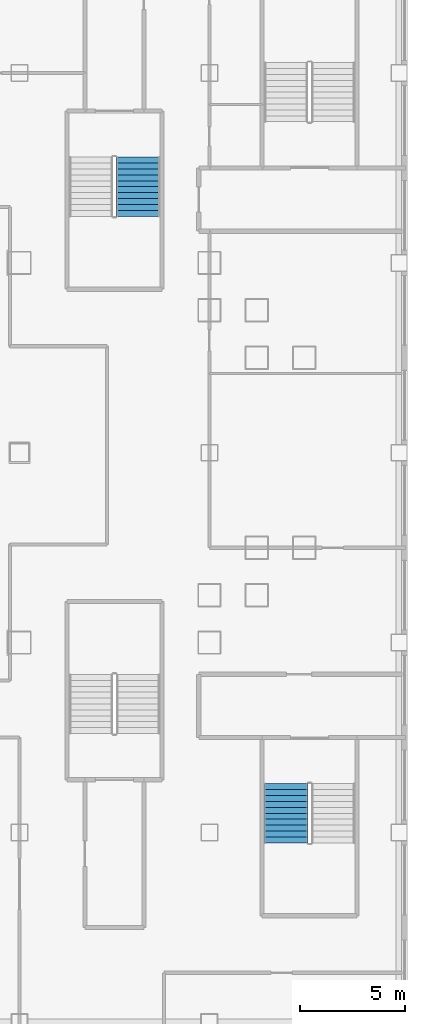
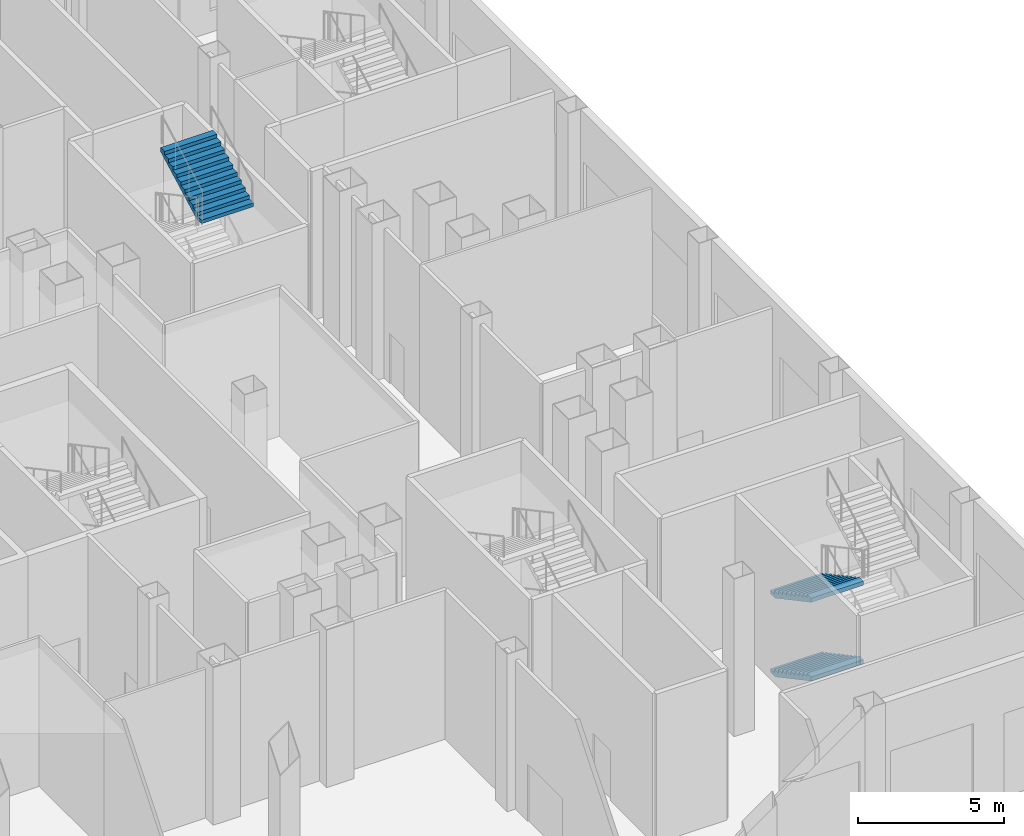
# One storey, part 18 of 26: 3 stair flights, 2 elements without a shape of their own.
"""IFC4 building model written with IfcOpenShell, lengths in metres."""

from ifc_helpers import new_model, si_unit, direction, frame, origin, place, context, subcontext, project, spatial, polygons, material, type_object, element, aggregate, save


model = new_model("IFC4")

# Units and contexts
model_context = context("Model", 3, precision=1e-05, world=origin(), true_north=direction((0.0, 1.0)))
body_context = subcontext(model_context, "Body", "Model", "MODEL_VIEW")
ifc_project = project(units=[si_unit("LENGTHUNIT", "METRE"), si_unit("AREAUNIT", "SQUARE_METRE"), si_unit("VOLUMEUNIT", "CUBIC_METRE"), si_unit("PLANEANGLEUNIT", "RADIAN"), si_unit("MASSUNIT", "GRAM", prefix="KILO")], contexts=[model_context])

# Site, building, storey
site_placement = place(None, origin())
site = spatial("IfcSite", under=ifc_project, at=site_placement, CompositionType="ELEMENT")
building_placement = place(site_placement, origin())
building = spatial("IfcBuilding", under=site, at=building_placement, Name="Caravel Reach Hotel and Residences", CompositionType="ELEMENT")
storey_placement = place(building_placement, frame((0.0, 0.0, 17.39990234375)))
storey = spatial("IfcBuildingStorey", under=building, at=storey_placement, Name="L03", CompositionType="ELEMENT", Elevation=17.39990234375)

# Stair, stair flight
ifc_material_1 = material(Name="Concrete C40", Category="concrete")
stair_type = type_object("IfcStairType", Name="Core stair", PredefinedType="HALF_TURN_STAIR", material=ifc_material_1)
stair_1_placement = place(storey_placement, origin())
stair_1 = element("IfcStair", 1, at=stair_1_placement, inside=storey, type_object=stair_type, Name="L03 Exit stair P2", PredefinedType="HALF_TURN_STAIR")
ifc_material_2 = material(Name="Concrete C40", Category="concrete")
stair_flight_type = type_object("IfcStairFlightType", Name="Core stair flight", PredefinedType="STRAIGHT", material=ifc_material_2)
stair_flight_1_placement = place(storey_placement, frame((55.110107421875, 38.2099609375, 4.9501953125), z_axis=(0.0, 0.0, 1.0), x_axis=(0.0, 1.0, 0.0)))
stair_flight_1 = element("IfcStairFlight", 2, at=stair_flight_1_placement, type_object=stair_flight_type, Name="ST-P2 flight 4", NumberOfRisers=11, NumberOfTreads=10, PredefinedType="STRAIGHT", RiserHeight=0.15, TreadLength=0.28, context=body_context, shape_type="Tessellation", body=[
    polygons([(0.3174408016601862, 1.0350341796875, 0.0), (0.3174408016601862, 0.6900227864583333, 0.0), (0.3174408016601862, 0.34501139322916663, 0.0), (0.3174408016601862, 0.0, 0.0), (0.3174408016601862, -0.34501139322916674, 0.0), (0.3174408016601862, -0.6900227864583333, 0.0), (0.3174408016601862, -1.0350341796875, 0.0), (2.801, 1.0350341796875, 1.329942427682043), (2.801, 0.6900227864583333, 1.329942427682043), (2.801, 0.34501139322916663, 1.329942427682043), (2.801, 0.0, 1.329942427682043), (2.801, -0.34501139322916674, 1.329942427682043), (2.801, -0.6900227864583333, 1.329942427682043), (2.801, -1.0350341796875, 1.329942427682043), (2.801, 1.0350341796875, 1.5), (2.801, 0.6900227864583333, 1.5), (2.801, 0.34501139322916663, 1.5), (2.801, 0.0, 1.5), (2.801, -0.34501139322916674, 1.5), (2.801, -0.6900227864583333, 1.5), (2.801, -1.0350341796875, 1.5), (2.5200000000000005, 1.0350341796875, 1.5), (2.5200000000000005, 0.6900227864583333, 1.5), (2.5200000000000005, 0.34501139322916663, 1.5), (2.5200000000000005, 0.0, 1.5), (2.5200000000000005, -0.34501139322916674, 1.5), (2.5200000000000005, -0.6900227864583333, 1.5), (2.5200000000000005, -1.0350341796875, 1.5), (2.5200000000000005, 1.0350341796875, 1.3499999999999999), (2.5200000000000005, 0.6900227864583333, 1.3499999999999999), (2.5200000000000005, 0.34501139322916663, 1.3499999999999999), (2.5200000000000005, 0.0, 1.3499999999999999), (2.5200000000000005, -0.34501139322916674, 1.3499999999999999), (2.5200000000000005, -0.6900227864583333, 1.3499999999999999), (2.5200000000000005, -1.0350341796875, 1.3499999999999999), (2.24, 1.0350341796875, 1.3499999999999999), (2.24, 0.6900227864583333, 1.3499999999999999), (2.24, 0.34501139322916663, 1.3499999999999999), (2.24, 0.0, 1.3499999999999999), (2.24, -0.34501139322916674, 1.3499999999999999), (2.24, -0.6900227864583333, 1.3499999999999999), (2.24, -1.0350341796875, 1.3499999999999999), (2.24, 1.0350341796875, 1.2), (2.24, 0.6900227864583333, 1.2), (2.24, 0.34501139322916663, 1.2), (2.24, 0.0, 1.2), (2.24, -0.34501139322916674, 1.2), (2.24, -0.6900227864583333, 1.2), (2.24, -1.0350341796875, 1.2), (1.9600000000000002, 1.0350341796875, 1.2), (1.9600000000000002, 0.6900227864583333, 1.2), (1.9600000000000002, 0.34501139322916663, 1.2), (1.9600000000000002, 0.0, 1.2), (1.9600000000000002, -0.34501139322916674, 1.2), (1.9600000000000002, -0.6900227864583333, 1.2), (1.9600000000000002, -1.0350341796875, 1.2), (1.9600000000000002, 1.0350341796875, 1.05), (1.9600000000000002, 0.6900227864583333, 1.05), (1.9600000000000002, 0.34501139322916663, 1.05), (1.9600000000000002, 0.0, 1.05), (1.9600000000000002, -0.34501139322916674, 1.05), (1.9600000000000002, -0.6900227864583333, 1.05), (1.9600000000000002, -1.0350341796875, 1.05), (1.6800000000000002, 1.0350341796875, 1.05), (1.6800000000000002, 0.6900227864583333, 1.05), (1.6800000000000002, 0.34501139322916663, 1.05), (1.6800000000000002, 0.0, 1.05), (1.6800000000000002, -0.34501139322916674, 1.05), (1.6800000000000002, -0.6900227864583333, 1.05), (1.6800000000000002, -1.0350341796875, 1.05), (1.6800000000000002, 1.0350341796875, 0.8999999999999999), (1.6800000000000002, 0.6900227864583333, 0.8999999999999999), (1.6800000000000002, 0.34501139322916663, 0.8999999999999999), (1.6800000000000002, 0.0, 0.8999999999999999), (1.6800000000000002, -0.34501139322916674, 0.8999999999999999), (1.6800000000000002, -0.6900227864583333, 0.8999999999999999), (1.6800000000000002, -1.0350341796875, 0.8999999999999999), (1.4000000000000001, 1.0350341796875, 0.8999999999999999), (1.4000000000000001, 0.6900227864583333, 0.8999999999999999), (1.4000000000000001, 0.34501139322916663, 0.8999999999999999), (1.4000000000000001, 0.0, 0.8999999999999999), (1.4000000000000001, -0.34501139322916674, 0.8999999999999999), (1.4000000000000001, -0.6900227864583333, 0.8999999999999999), (1.4000000000000001, -1.0350341796875, 0.8999999999999999), (1.4000000000000001, 1.0350341796875, 0.75), (1.4000000000000001, 0.6900227864583333, 0.75), (1.4000000000000001, 0.34501139322916663, 0.75), (1.4000000000000001, 0.0, 0.75), (1.4000000000000001, -0.34501139322916674, 0.75), (1.4000000000000001, -0.6900227864583333, 0.75), (1.4000000000000001, -1.0350341796875, 0.75), (1.12, 1.0350341796875, 0.75), (1.12, 0.6900227864583333, 0.75), (1.12, 0.34501139322916663, 0.75), (1.12, 0.0, 0.75), (1.12, -0.34501139322916674, 0.75), (1.12, -0.6900227864583333, 0.75), (1.12, -1.0350341796875, 0.75), (1.12, 1.0350341796875, 0.6), (1.12, 0.6900227864583333, 0.6), (1.12, 0.34501139322916663, 0.6), (1.12, 0.0, 0.6), (1.12, -0.34501139322916674, 0.6), (1.12, -0.6900227864583333, 0.6), (1.12, -1.0350341796875, 0.6), (0.8400000000000001, 1.0350341796875, 0.6), (0.8400000000000001, 0.6900227864583333, 0.6), (0.8400000000000001, 0.34501139322916663, 0.6), (0.8400000000000001, 0.0, 0.6), (0.8400000000000001, -0.34501139322916674, 0.6), (0.8400000000000001, -0.6900227864583333, 0.6), (0.8400000000000001, -1.0350341796875, 0.6), (0.8400000000000001, 1.0350341796875, 0.44999999999999996), (0.8400000000000001, 0.6900227864583333, 0.44999999999999996), (0.8400000000000001, 0.34501139322916663, 0.44999999999999996), (0.8400000000000001, 0.0, 0.44999999999999996), (0.8400000000000001, -0.34501139322916674, 0.44999999999999996), (0.8400000000000001, -0.6900227864583333, 0.44999999999999996), (0.8400000000000001, -1.0350341796875, 0.44999999999999996), (0.56, 1.0350341796875, 0.44999999999999996), (0.56, 0.6900227864583333, 0.44999999999999996), (0.56, 0.34501139322916663, 0.44999999999999996), (0.56, 0.0, 0.44999999999999996), (0.56, -0.34501139322916674, 0.44999999999999996), (0.56, -0.6900227864583333, 0.44999999999999996), (0.56, -1.0350341796875, 0.44999999999999996), (0.56, 1.0350341796875, 0.3), (0.56, 0.6900227864583333, 0.3), (0.56, 0.34501139322916663, 0.3), (0.56, 0.0, 0.3), (0.56, -0.34501139322916674, 0.3), (0.56, -0.6900227864583333, 0.3), (0.56, -1.0350341796875, 0.3), (0.28, 1.0350341796875, 0.3), (0.28, 0.6900227864583333, 0.3), (0.28, 0.34501139322916663, 0.3), (0.28, 0.0, 0.3), (0.28, -0.34501139322916674, 0.3), (0.28, -0.6900227864583333, 0.3), (0.28, -1.0350341796875, 0.3), (0.28, 1.0350341796875, 0.15), (0.28, 0.6900227864583333, 0.15), (0.28, 0.34501139322916663, 0.15), (0.28, 0.0, 0.15), (0.28, -0.34501139322916674, 0.15), (0.28, -0.6900227864583333, 0.15), (0.28, -1.0350341796875, 0.15), (-0.001, 1.0350341796875, 0.15), (-0.001, 0.6900227864583333, 0.15), (-0.001, 0.34501139322916663, 0.15), (-0.001, 0.0, 0.15), (-0.001, -0.34501139322916674, 0.15), (-0.001, -0.6900227864583333, 0.15), (-0.001, -1.0350341796875, 0.15), (-0.001, 1.0350341796875, 0.0), (-0.001, 0.6900227864583333, 0.0), (-0.001, 0.34501139322916663, 0.0), (-0.001, 0.0, 0.0), (-0.001, -0.34501139322916674, 0.0), (-0.001, -0.6900227864583333, 0.0), (-0.001, -1.0350341796875, 0.0)], [[[155, 148, 141, 134, 127, 120, 113, 106, 99, 92, 85, 78, 71, 64, 57, 50, 43, 36, 29, 22, 15, 8, 1]], [[7, 14, 21, 28, 35, 42, 49, 56, 63, 70, 77, 84, 91, 98, 105, 112, 119, 126, 133, 140, 147, 154, 161]], [[1, 8, 9, 2]], [[2, 9, 10, 3]], [[3, 10, 11, 4]], [[4, 11, 12, 5]], [[5, 12, 13, 6]], [[6, 13, 14, 7]], [[8, 15, 16, 9]], [[9, 16, 17, 10]], [[10, 17, 18, 11]], [[11, 18, 19, 12]], [[12, 19, 20, 13]], [[13, 20, 21, 14]], [[15, 22, 23, 16]], [[16, 23, 24, 17]], [[17, 24, 25, 18]], [[18, 25, 26, 19]], [[19, 26, 27, 20]], [[20, 27, 28, 21]], [[22, 29, 30, 23]], [[23, 30, 31, 24]], [[24, 31, 32, 25]], [[25, 32, 33, 26]], [[26, 33, 34, 27]], [[27, 34, 35, 28]], [[29, 36, 37, 30]], [[30, 37, 38, 31]], [[31, 38, 39, 32]], [[32, 39, 40, 33]], [[33, 40, 41, 34]], [[34, 41, 42, 35]], [[36, 43, 44, 37]], [[37, 44, 45, 38]], [[38, 45, 46, 39]], [[39, 46, 47, 40]], [[40, 47, 48, 41]], [[41, 48, 49, 42]], [[43, 50, 51, 44]], [[44, 51, 52, 45]], [[45, 52, 53, 46]], [[46, 53, 54, 47]], [[47, 54, 55, 48]], [[48, 55, 56, 49]], [[50, 57, 58, 51]], [[51, 58, 59, 52]], [[52, 59, 60, 53]], [[53, 60, 61, 54]], [[54, 61, 62, 55]], [[55, 62, 63, 56]], [[57, 64, 65, 58]], [[58, 65, 66, 59]], [[59, 66, 67, 60]], [[60, 67, 68, 61]], [[61, 68, 69, 62]], [[62, 69, 70, 63]], [[64, 71, 72, 65]], [[65, 72, 73, 66]], [[66, 73, 74, 67]], [[67, 74, 75, 68]], [[68, 75, 76, 69]], [[69, 76, 77, 70]], [[71, 78, 79, 72]], [[72, 79, 80, 73]], [[73, 80, 81, 74]], [[74, 81, 82, 75]], [[75, 82, 83, 76]], [[76, 83, 84, 77]], [[78, 85, 86, 79]], [[79, 86, 87, 80]], [[80, 87, 88, 81]], [[81, 88, 89, 82]], [[82, 89, 90, 83]], [[83, 90, 91, 84]], [[85, 92, 93, 86]], [[86, 93, 94, 87]], [[87, 94, 95, 88]], [[88, 95, 96, 89]], [[89, 96, 97, 90]], [[90, 97, 98, 91]], [[92, 99, 100, 93]], [[93, 100, 101, 94]], [[94, 101, 102, 95]], [[95, 102, 103, 96]], [[96, 103, 104, 97]], [[97, 104, 105, 98]], [[99, 106, 107, 100]], [[100, 107, 108, 101]], [[101, 108, 109, 102]], [[102, 109, 110, 103]], [[103, 110, 111, 104]], [[104, 111, 112, 105]], [[106, 113, 114, 107]], [[107, 114, 115, 108]], [[108, 115, 116, 109]], [[109, 116, 117, 110]], [[110, 117, 118, 111]], [[111, 118, 119, 112]], [[113, 120, 121, 114]], [[114, 121, 122, 115]], [[115, 122, 123, 116]], [[116, 123, 124, 117]], [[117, 124, 125, 118]], [[118, 125, 126, 119]], [[120, 127, 128, 121]], [[121, 128, 129, 122]], [[122, 129, 130, 123]], [[123, 130, 131, 124]], [[124, 131, 132, 125]], [[125, 132, 133, 126]], [[127, 134, 135, 128]], [[128, 135, 136, 129]], [[129, 136, 137, 130]], [[130, 137, 138, 131]], [[131, 138, 139, 132]], [[132, 139, 140, 133]], [[134, 141, 142, 135]], [[135, 142, 143, 136]], [[136, 143, 144, 137]], [[137, 144, 145, 138]], [[138, 145, 146, 139]], [[139, 146, 147, 140]], [[141, 148, 149, 142]], [[142, 149, 150, 143]], [[143, 150, 151, 144]], [[144, 151, 152, 145]], [[145, 152, 153, 146]], [[146, 153, 154, 147]], [[148, 155, 156, 149]], [[149, 156, 157, 150]], [[150, 157, 158, 151]], [[151, 158, 159, 152]], [[152, 159, 160, 153]], [[153, 160, 161, 154]], [[155, 1, 2, 156]], [[156, 2, 3, 157]], [[157, 3, 4, 158]], [[158, 4, 5, 159]], [[159, 5, 6, 160]], [[160, 6, 7, 161]]], closed=True),
])
aggregate(stair_1, [stair_flight_1])

# Stair, stair flights
stair_2_placement = place(storey_placement, origin())
stair_2 = element("IfcStair", 3, at=stair_2_placement, inside=storey, type_object=stair_type, Name="L03 Exit stair P7", PredefinedType="HALF_TURN_STAIR")
stair_flight_2_placement = place(storey_placement, frame((62.139892578125, 11.31005859375, 0.0), z_axis=(0.0, 0.0, 1.0), x_axis=(0.0, -1.0, 0.0)))
stair_flight_2 = element("IfcStairFlight", 4, at=stair_flight_2_placement, type_object=stair_flight_type, Name="ST-P7 flight 1", NumberOfRisers=11, NumberOfTreads=10, PredefinedType="STRAIGHT", RiserHeight=0.15, TreadLength=0.28, context=body_context, shape_type="Tessellation", body=[
    polygons([(0.3174408016601862, 1.0350341796875, 0.0), (0.3174408016601862, 0.6900227864583333, 0.0), (0.3174408016601862, 0.34501139322916663, 0.0), (0.3174408016601862, 0.0, 0.0), (0.3174408016601862, -0.34501139322916674, 0.0), (0.3174408016601862, -0.6900227864583333, 0.0), (0.3174408016601862, -1.0350341796875, 0.0), (2.801, 1.0350341796875, 1.329942427682043), (2.801, 0.6900227864583333, 1.329942427682043), (2.801, 0.34501139322916663, 1.329942427682043), (2.801, 0.0, 1.329942427682043), (2.801, -0.34501139322916674, 1.329942427682043), (2.801, -0.6900227864583333, 1.329942427682043), (2.801, -1.0350341796875, 1.329942427682043), (2.801, 1.0350341796875, 1.5), (2.801, 0.6900227864583333, 1.5), (2.801, 0.34501139322916663, 1.5), (2.801, 0.0, 1.5), (2.801, -0.34501139322916674, 1.5), (2.801, -0.6900227864583333, 1.5), (2.801, -1.0350341796875, 1.5), (2.5200000000000005, 1.0350341796875, 1.5), (2.5200000000000005, 0.6900227864583333, 1.5), (2.5200000000000005, 0.34501139322916663, 1.5), (2.5200000000000005, 0.0, 1.5), (2.5200000000000005, -0.34501139322916674, 1.5), (2.5200000000000005, -0.6900227864583333, 1.5), (2.5200000000000005, -1.0350341796875, 1.5), (2.5200000000000005, 1.0350341796875, 1.3499999999999999), (2.5200000000000005, 0.6900227864583333, 1.3499999999999999), (2.5200000000000005, 0.34501139322916663, 1.3499999999999999), (2.5200000000000005, 0.0, 1.3499999999999999), (2.5200000000000005, -0.34501139322916674, 1.3499999999999999), (2.5200000000000005, -0.6900227864583333, 1.3499999999999999), (2.5200000000000005, -1.0350341796875, 1.3499999999999999), (2.24, 1.0350341796875, 1.3499999999999999), (2.24, 0.6900227864583333, 1.3499999999999999), (2.24, 0.34501139322916663, 1.3499999999999999), (2.24, 0.0, 1.3499999999999999), (2.24, -0.34501139322916674, 1.3499999999999999), (2.24, -0.6900227864583333, 1.3499999999999999), (2.24, -1.0350341796875, 1.3499999999999999), (2.24, 1.0350341796875, 1.2), (2.24, 0.6900227864583333, 1.2), (2.24, 0.34501139322916663, 1.2), (2.24, 0.0, 1.2), (2.24, -0.34501139322916674, 1.2), (2.24, -0.6900227864583333, 1.2), (2.24, -1.0350341796875, 1.2), (1.9600000000000002, 1.0350341796875, 1.2), (1.9600000000000002, 0.6900227864583333, 1.2), (1.9600000000000002, 0.34501139322916663, 1.2), (1.9600000000000002, 0.0, 1.2), (1.9600000000000002, -0.34501139322916674, 1.2), (1.9600000000000002, -0.6900227864583333, 1.2), (1.9600000000000002, -1.0350341796875, 1.2), (1.9600000000000002, 1.0350341796875, 1.05), (1.9600000000000002, 0.6900227864583333, 1.05), (1.9600000000000002, 0.34501139322916663, 1.05), (1.9600000000000002, 0.0, 1.05), (1.9600000000000002, -0.34501139322916674, 1.05), (1.9600000000000002, -0.6900227864583333, 1.05), (1.9600000000000002, -1.0350341796875, 1.05), (1.6800000000000002, 1.0350341796875, 1.05), (1.6800000000000002, 0.6900227864583333, 1.05), (1.6800000000000002, 0.34501139322916663, 1.05), (1.6800000000000002, 0.0, 1.05), (1.6800000000000002, -0.34501139322916674, 1.05), (1.6800000000000002, -0.6900227864583333, 1.05), (1.6800000000000002, -1.0350341796875, 1.05), (1.6800000000000002, 1.0350341796875, 0.8999999999999999), (1.6800000000000002, 0.6900227864583333, 0.8999999999999999), (1.6800000000000002, 0.34501139322916663, 0.8999999999999999), (1.6800000000000002, 0.0, 0.8999999999999999), (1.6800000000000002, -0.34501139322916674, 0.8999999999999999), (1.6800000000000002, -0.6900227864583333, 0.8999999999999999), (1.6800000000000002, -1.0350341796875, 0.8999999999999999), (1.4000000000000001, 1.0350341796875, 0.8999999999999999), (1.4000000000000001, 0.6900227864583333, 0.8999999999999999), (1.4000000000000001, 0.34501139322916663, 0.8999999999999999), (1.4000000000000001, 0.0, 0.8999999999999999), (1.4000000000000001, -0.34501139322916674, 0.8999999999999999), (1.4000000000000001, -0.6900227864583333, 0.8999999999999999), (1.4000000000000001, -1.0350341796875, 0.8999999999999999), (1.4000000000000001, 1.0350341796875, 0.75), (1.4000000000000001, 0.6900227864583333, 0.75), (1.4000000000000001, 0.34501139322916663, 0.75), (1.4000000000000001, 0.0, 0.75), (1.4000000000000001, -0.34501139322916674, 0.75), (1.4000000000000001, -0.6900227864583333, 0.75), (1.4000000000000001, -1.0350341796875, 0.75), (1.12, 1.0350341796875, 0.75), (1.12, 0.6900227864583333, 0.75), (1.12, 0.34501139322916663, 0.75), (1.12, 0.0, 0.75), (1.12, -0.34501139322916674, 0.75), (1.12, -0.6900227864583333, 0.75), (1.12, -1.0350341796875, 0.75), (1.12, 1.0350341796875, 0.6), (1.12, 0.6900227864583333, 0.6), (1.12, 0.34501139322916663, 0.6), (1.12, 0.0, 0.6), (1.12, -0.34501139322916674, 0.6), (1.12, -0.6900227864583333, 0.6), (1.12, -1.0350341796875, 0.6), (0.8400000000000001, 1.0350341796875, 0.6), (0.8400000000000001, 0.6900227864583333, 0.6), (0.8400000000000001, 0.34501139322916663, 0.6), (0.8400000000000001, 0.0, 0.6), (0.8400000000000001, -0.34501139322916674, 0.6), (0.8400000000000001, -0.6900227864583333, 0.6), (0.8400000000000001, -1.0350341796875, 0.6), (0.8400000000000001, 1.0350341796875, 0.44999999999999996), (0.8400000000000001, 0.6900227864583333, 0.44999999999999996), (0.8400000000000001, 0.34501139322916663, 0.44999999999999996), (0.8400000000000001, 0.0, 0.44999999999999996), (0.8400000000000001, -0.34501139322916674, 0.44999999999999996), (0.8400000000000001, -0.6900227864583333, 0.44999999999999996), (0.8400000000000001, -1.0350341796875, 0.44999999999999996), (0.56, 1.0350341796875, 0.44999999999999996), (0.56, 0.6900227864583333, 0.44999999999999996), (0.56, 0.34501139322916663, 0.44999999999999996), (0.56, 0.0, 0.44999999999999996), (0.56, -0.34501139322916674, 0.44999999999999996), (0.56, -0.6900227864583333, 0.44999999999999996), (0.56, -1.0350341796875, 0.44999999999999996), (0.56, 1.0350341796875, 0.3), (0.56, 0.6900227864583333, 0.3), (0.56, 0.34501139322916663, 0.3), (0.56, 0.0, 0.3), (0.56, -0.34501139322916674, 0.3), (0.56, -0.6900227864583333, 0.3), (0.56, -1.0350341796875, 0.3), (0.28, 1.0350341796875, 0.3), (0.28, 0.6900227864583333, 0.3), (0.28, 0.34501139322916663, 0.3), (0.28, 0.0, 0.3), (0.28, -0.34501139322916674, 0.3), (0.28, -0.6900227864583333, 0.3), (0.28, -1.0350341796875, 0.3), (0.28, 1.0350341796875, 0.15), (0.28, 0.6900227864583333, 0.15), (0.28, 0.34501139322916663, 0.15), (0.28, 0.0, 0.15), (0.28, -0.34501139322916674, 0.15), (0.28, -0.6900227864583333, 0.15), (0.28, -1.0350341796875, 0.15), (-0.001, 1.0350341796875, 0.15), (-0.001, 0.6900227864583333, 0.15), (-0.001, 0.34501139322916663, 0.15), (-0.001, 0.0, 0.15), (-0.001, -0.34501139322916674, 0.15), (-0.001, -0.6900227864583333, 0.15), (-0.001, -1.0350341796875, 0.15), (-0.001, 1.0350341796875, 0.0), (-0.001, 0.6900227864583333, 0.0), (-0.001, 0.34501139322916663, 0.0), (-0.001, 0.0, 0.0), (-0.001, -0.34501139322916674, 0.0), (-0.001, -0.6900227864583333, 0.0), (-0.001, -1.0350341796875, 0.0)], [[[155, 148, 141, 134, 127, 120, 113, 106, 99, 92, 85, 78, 71, 64, 57, 50, 43, 36, 29, 22, 15, 8, 1]], [[7, 14, 21, 28, 35, 42, 49, 56, 63, 70, 77, 84, 91, 98, 105, 112, 119, 126, 133, 140, 147, 154, 161]], [[1, 8, 9, 2]], [[2, 9, 10, 3]], [[3, 10, 11, 4]], [[4, 11, 12, 5]], [[5, 12, 13, 6]], [[6, 13, 14, 7]], [[8, 15, 16, 9]], [[9, 16, 17, 10]], [[10, 17, 18, 11]], [[11, 18, 19, 12]], [[12, 19, 20, 13]], [[13, 20, 21, 14]], [[15, 22, 23, 16]], [[16, 23, 24, 17]], [[17, 24, 25, 18]], [[18, 25, 26, 19]], [[19, 26, 27, 20]], [[20, 27, 28, 21]], [[22, 29, 30, 23]], [[23, 30, 31, 24]], [[24, 31, 32, 25]], [[25, 32, 33, 26]], [[26, 33, 34, 27]], [[27, 34, 35, 28]], [[29, 36, 37, 30]], [[30, 37, 38, 31]], [[31, 38, 39, 32]], [[32, 39, 40, 33]], [[33, 40, 41, 34]], [[34, 41, 42, 35]], [[36, 43, 44, 37]], [[37, 44, 45, 38]], [[38, 45, 46, 39]], [[39, 46, 47, 40]], [[40, 47, 48, 41]], [[41, 48, 49, 42]], [[43, 50, 51, 44]], [[44, 51, 52, 45]], [[45, 52, 53, 46]], [[46, 53, 54, 47]], [[47, 54, 55, 48]], [[48, 55, 56, 49]], [[50, 57, 58, 51]], [[51, 58, 59, 52]], [[52, 59, 60, 53]], [[53, 60, 61, 54]], [[54, 61, 62, 55]], [[55, 62, 63, 56]], [[57, 64, 65, 58]], [[58, 65, 66, 59]], [[59, 66, 67, 60]], [[60, 67, 68, 61]], [[61, 68, 69, 62]], [[62, 69, 70, 63]], [[64, 71, 72, 65]], [[65, 72, 73, 66]], [[66, 73, 74, 67]], [[67, 74, 75, 68]], [[68, 75, 76, 69]], [[69, 76, 77, 70]], [[71, 78, 79, 72]], [[72, 79, 80, 73]], [[73, 80, 81, 74]], [[74, 81, 82, 75]], [[75, 82, 83, 76]], [[76, 83, 84, 77]], [[78, 85, 86, 79]], [[79, 86, 87, 80]], [[80, 87, 88, 81]], [[81, 88, 89, 82]], [[82, 89, 90, 83]], [[83, 90, 91, 84]], [[85, 92, 93, 86]], [[86, 93, 94, 87]], [[87, 94, 95, 88]], [[88, 95, 96, 89]], [[89, 96, 97, 90]], [[90, 97, 98, 91]], [[92, 99, 100, 93]], [[93, 100, 101, 94]], [[94, 101, 102, 95]], [[95, 102, 103, 96]], [[96, 103, 104, 97]], [[97, 104, 105, 98]], [[99, 106, 107, 100]], [[100, 107, 108, 101]], [[101, 108, 109, 102]], [[102, 109, 110, 103]], [[103, 110, 111, 104]], [[104, 111, 112, 105]], [[106, 113, 114, 107]], [[107, 114, 115, 108]], [[108, 115, 116, 109]], [[109, 116, 117, 110]], [[110, 117, 118, 111]], [[111, 118, 119, 112]], [[113, 120, 121, 114]], [[114, 121, 122, 115]], [[115, 122, 123, 116]], [[116, 123, 124, 117]], [[117, 124, 125, 118]], [[118, 125, 126, 119]], [[120, 127, 128, 121]], [[121, 128, 129, 122]], [[122, 129, 130, 123]], [[123, 130, 131, 124]], [[124, 131, 132, 125]], [[125, 132, 133, 126]], [[127, 134, 135, 128]], [[128, 135, 136, 129]], [[129, 136, 137, 130]], [[130, 137, 138, 131]], [[131, 138, 139, 132]], [[132, 139, 140, 133]], [[134, 141, 142, 135]], [[135, 142, 143, 136]], [[136, 143, 144, 137]], [[137, 144, 145, 138]], [[138, 145, 146, 139]], [[139, 146, 147, 140]], [[141, 148, 149, 142]], [[142, 149, 150, 143]], [[143, 150, 151, 144]], [[144, 151, 152, 145]], [[145, 152, 153, 146]], [[146, 153, 154, 147]], [[148, 155, 156, 149]], [[149, 156, 157, 150]], [[150, 157, 158, 151]], [[151, 158, 159, 152]], [[152, 159, 160, 153]], [[153, 160, 161, 154]], [[155, 1, 2, 156]], [[156, 2, 3, 157]], [[157, 3, 4, 158]], [[158, 4, 5, 159]], [[159, 5, 6, 160]], [[160, 6, 7, 161]]], closed=True),
])
stair_flight_3_placement = place(storey_placement, frame((62.139892578125, 11.31005859375, 3.300048828125), z_axis=(0.0, 0.0, 1.0), x_axis=(0.0, -1.0, 0.0)))
stair_flight_3 = element("IfcStairFlight", 5, at=stair_flight_3_placement, type_object=stair_flight_type, Name="ST-P7 flight 3", NumberOfRisers=11, NumberOfTreads=10, PredefinedType="STRAIGHT", RiserHeight=0.15, TreadLength=0.28, context=body_context, shape_type="Tessellation", body=[
    polygons([(0.3174408016601862, 1.0350341796875, 0.0), (0.3174408016601862, 0.6900227864583333, 0.0), (0.3174408016601862, 0.34501139322916663, 0.0), (0.3174408016601862, 0.0, 0.0), (0.3174408016601862, -0.34501139322916674, 0.0), (0.3174408016601862, -0.6900227864583333, 0.0), (0.3174408016601862, -1.0350341796875, 0.0), (2.801, 1.0350341796875, 1.329942427682043), (2.801, 0.6900227864583333, 1.329942427682043), (2.801, 0.34501139322916663, 1.329942427682043), (2.801, 0.0, 1.329942427682043), (2.801, -0.34501139322916674, 1.329942427682043), (2.801, -0.6900227864583333, 1.329942427682043), (2.801, -1.0350341796875, 1.329942427682043), (2.801, 1.0350341796875, 1.5), (2.801, 0.6900227864583333, 1.5), (2.801, 0.34501139322916663, 1.5), (2.801, 0.0, 1.5), (2.801, -0.34501139322916674, 1.5), (2.801, -0.6900227864583333, 1.5), (2.801, -1.0350341796875, 1.5), (2.5200000000000005, 1.0350341796875, 1.5), (2.5200000000000005, 0.6900227864583333, 1.5), (2.5200000000000005, 0.34501139322916663, 1.5), (2.5200000000000005, 0.0, 1.5), (2.5200000000000005, -0.34501139322916674, 1.5), (2.5200000000000005, -0.6900227864583333, 1.5), (2.5200000000000005, -1.0350341796875, 1.5), (2.5200000000000005, 1.0350341796875, 1.3499999999999999), (2.5200000000000005, 0.6900227864583333, 1.3499999999999999), (2.5200000000000005, 0.34501139322916663, 1.3499999999999999), (2.5200000000000005, 0.0, 1.3499999999999999), (2.5200000000000005, -0.34501139322916674, 1.3499999999999999), (2.5200000000000005, -0.6900227864583333, 1.3499999999999999), (2.5200000000000005, -1.0350341796875, 1.3499999999999999), (2.24, 1.0350341796875, 1.3499999999999999), (2.24, 0.6900227864583333, 1.3499999999999999), (2.24, 0.34501139322916663, 1.3499999999999999), (2.24, 0.0, 1.3499999999999999), (2.24, -0.34501139322916674, 1.3499999999999999), (2.24, -0.6900227864583333, 1.3499999999999999), (2.24, -1.0350341796875, 1.3499999999999999), (2.24, 1.0350341796875, 1.2), (2.24, 0.6900227864583333, 1.2), (2.24, 0.34501139322916663, 1.2), (2.24, 0.0, 1.2), (2.24, -0.34501139322916674, 1.2), (2.24, -0.6900227864583333, 1.2), (2.24, -1.0350341796875, 1.2), (1.9600000000000002, 1.0350341796875, 1.2), (1.9600000000000002, 0.6900227864583333, 1.2), (1.9600000000000002, 0.34501139322916663, 1.2), (1.9600000000000002, 0.0, 1.2), (1.9600000000000002, -0.34501139322916674, 1.2), (1.9600000000000002, -0.6900227864583333, 1.2), (1.9600000000000002, -1.0350341796875, 1.2), (1.9600000000000002, 1.0350341796875, 1.05), (1.9600000000000002, 0.6900227864583333, 1.05), (1.9600000000000002, 0.34501139322916663, 1.05), (1.9600000000000002, 0.0, 1.05), (1.9600000000000002, -0.34501139322916674, 1.05), (1.9600000000000002, -0.6900227864583333, 1.05), (1.9600000000000002, -1.0350341796875, 1.05), (1.6800000000000002, 1.0350341796875, 1.05), (1.6800000000000002, 0.6900227864583333, 1.05), (1.6800000000000002, 0.34501139322916663, 1.05), (1.6800000000000002, 0.0, 1.05), (1.6800000000000002, -0.34501139322916674, 1.05), (1.6800000000000002, -0.6900227864583333, 1.05), (1.6800000000000002, -1.0350341796875, 1.05), (1.6800000000000002, 1.0350341796875, 0.8999999999999999), (1.6800000000000002, 0.6900227864583333, 0.8999999999999999), (1.6800000000000002, 0.34501139322916663, 0.8999999999999999), (1.6800000000000002, 0.0, 0.8999999999999999), (1.6800000000000002, -0.34501139322916674, 0.8999999999999999), (1.6800000000000002, -0.6900227864583333, 0.8999999999999999), (1.6800000000000002, -1.0350341796875, 0.8999999999999999), (1.4000000000000001, 1.0350341796875, 0.8999999999999999), (1.4000000000000001, 0.6900227864583333, 0.8999999999999999), (1.4000000000000001, 0.34501139322916663, 0.8999999999999999), (1.4000000000000001, 0.0, 0.8999999999999999), (1.4000000000000001, -0.34501139322916674, 0.8999999999999999), (1.4000000000000001, -0.6900227864583333, 0.8999999999999999), (1.4000000000000001, -1.0350341796875, 0.8999999999999999), (1.4000000000000001, 1.0350341796875, 0.75), (1.4000000000000001, 0.6900227864583333, 0.75), (1.4000000000000001, 0.34501139322916663, 0.75), (1.4000000000000001, 0.0, 0.75), (1.4000000000000001, -0.34501139322916674, 0.75), (1.4000000000000001, -0.6900227864583333, 0.75), (1.4000000000000001, -1.0350341796875, 0.75), (1.12, 1.0350341796875, 0.75), (1.12, 0.6900227864583333, 0.75), (1.12, 0.34501139322916663, 0.75), (1.12, 0.0, 0.75), (1.12, -0.34501139322916674, 0.75), (1.12, -0.6900227864583333, 0.75), (1.12, -1.0350341796875, 0.75), (1.12, 1.0350341796875, 0.6), (1.12, 0.6900227864583333, 0.6), (1.12, 0.34501139322916663, 0.6), (1.12, 0.0, 0.6), (1.12, -0.34501139322916674, 0.6), (1.12, -0.6900227864583333, 0.6), (1.12, -1.0350341796875, 0.6), (0.8400000000000001, 1.0350341796875, 0.6), (0.8400000000000001, 0.6900227864583333, 0.6), (0.8400000000000001, 0.34501139322916663, 0.6), (0.8400000000000001, 0.0, 0.6), (0.8400000000000001, -0.34501139322916674, 0.6), (0.8400000000000001, -0.6900227864583333, 0.6), (0.8400000000000001, -1.0350341796875, 0.6), (0.8400000000000001, 1.0350341796875, 0.44999999999999996), (0.8400000000000001, 0.6900227864583333, 0.44999999999999996), (0.8400000000000001, 0.34501139322916663, 0.44999999999999996), (0.8400000000000001, 0.0, 0.44999999999999996), (0.8400000000000001, -0.34501139322916674, 0.44999999999999996), (0.8400000000000001, -0.6900227864583333, 0.44999999999999996), (0.8400000000000001, -1.0350341796875, 0.44999999999999996), (0.56, 1.0350341796875, 0.44999999999999996), (0.56, 0.6900227864583333, 0.44999999999999996), (0.56, 0.34501139322916663, 0.44999999999999996), (0.56, 0.0, 0.44999999999999996), (0.56, -0.34501139322916674, 0.44999999999999996), (0.56, -0.6900227864583333, 0.44999999999999996), (0.56, -1.0350341796875, 0.44999999999999996), (0.56, 1.0350341796875, 0.3), (0.56, 0.6900227864583333, 0.3), (0.56, 0.34501139322916663, 0.3), (0.56, 0.0, 0.3), (0.56, -0.34501139322916674, 0.3), (0.56, -0.6900227864583333, 0.3), (0.56, -1.0350341796875, 0.3), (0.28, 1.0350341796875, 0.3), (0.28, 0.6900227864583333, 0.3), (0.28, 0.34501139322916663, 0.3), (0.28, 0.0, 0.3), (0.28, -0.34501139322916674, 0.3), (0.28, -0.6900227864583333, 0.3), (0.28, -1.0350341796875, 0.3), (0.28, 1.0350341796875, 0.15), (0.28, 0.6900227864583333, 0.15), (0.28, 0.34501139322916663, 0.15), (0.28, 0.0, 0.15), (0.28, -0.34501139322916674, 0.15), (0.28, -0.6900227864583333, 0.15), (0.28, -1.0350341796875, 0.15), (-0.001, 1.0350341796875, 0.15), (-0.001, 0.6900227864583333, 0.15), (-0.001, 0.34501139322916663, 0.15), (-0.001, 0.0, 0.15), (-0.001, -0.34501139322916674, 0.15), (-0.001, -0.6900227864583333, 0.15), (-0.001, -1.0350341796875, 0.15), (-0.001, 1.0350341796875, 0.0), (-0.001, 0.6900227864583333, 0.0), (-0.001, 0.34501139322916663, 0.0), (-0.001, 0.0, 0.0), (-0.001, -0.34501139322916674, 0.0), (-0.001, -0.6900227864583333, 0.0), (-0.001, -1.0350341796875, 0.0)], [[[155, 148, 141, 134, 127, 120, 113, 106, 99, 92, 85, 78, 71, 64, 57, 50, 43, 36, 29, 22, 15, 8, 1]], [[7, 14, 21, 28, 35, 42, 49, 56, 63, 70, 77, 84, 91, 98, 105, 112, 119, 126, 133, 140, 147, 154, 161]], [[1, 8, 9, 2]], [[2, 9, 10, 3]], [[3, 10, 11, 4]], [[4, 11, 12, 5]], [[5, 12, 13, 6]], [[6, 13, 14, 7]], [[8, 15, 16, 9]], [[9, 16, 17, 10]], [[10, 17, 18, 11]], [[11, 18, 19, 12]], [[12, 19, 20, 13]], [[13, 20, 21, 14]], [[15, 22, 23, 16]], [[16, 23, 24, 17]], [[17, 24, 25, 18]], [[18, 25, 26, 19]], [[19, 26, 27, 20]], [[20, 27, 28, 21]], [[22, 29, 30, 23]], [[23, 30, 31, 24]], [[24, 31, 32, 25]], [[25, 32, 33, 26]], [[26, 33, 34, 27]], [[27, 34, 35, 28]], [[29, 36, 37, 30]], [[30, 37, 38, 31]], [[31, 38, 39, 32]], [[32, 39, 40, 33]], [[33, 40, 41, 34]], [[34, 41, 42, 35]], [[36, 43, 44, 37]], [[37, 44, 45, 38]], [[38, 45, 46, 39]], [[39, 46, 47, 40]], [[40, 47, 48, 41]], [[41, 48, 49, 42]], [[43, 50, 51, 44]], [[44, 51, 52, 45]], [[45, 52, 53, 46]], [[46, 53, 54, 47]], [[47, 54, 55, 48]], [[48, 55, 56, 49]], [[50, 57, 58, 51]], [[51, 58, 59, 52]], [[52, 59, 60, 53]], [[53, 60, 61, 54]], [[54, 61, 62, 55]], [[55, 62, 63, 56]], [[57, 64, 65, 58]], [[58, 65, 66, 59]], [[59, 66, 67, 60]], [[60, 67, 68, 61]], [[61, 68, 69, 62]], [[62, 69, 70, 63]], [[64, 71, 72, 65]], [[65, 72, 73, 66]], [[66, 73, 74, 67]], [[67, 74, 75, 68]], [[68, 75, 76, 69]], [[69, 76, 77, 70]], [[71, 78, 79, 72]], [[72, 79, 80, 73]], [[73, 80, 81, 74]], [[74, 81, 82, 75]], [[75, 82, 83, 76]], [[76, 83, 84, 77]], [[78, 85, 86, 79]], [[79, 86, 87, 80]], [[80, 87, 88, 81]], [[81, 88, 89, 82]], [[82, 89, 90, 83]], [[83, 90, 91, 84]], [[85, 92, 93, 86]], [[86, 93, 94, 87]], [[87, 94, 95, 88]], [[88, 95, 96, 89]], [[89, 96, 97, 90]], [[90, 97, 98, 91]], [[92, 99, 100, 93]], [[93, 100, 101, 94]], [[94, 101, 102, 95]], [[95, 102, 103, 96]], [[96, 103, 104, 97]], [[97, 104, 105, 98]], [[99, 106, 107, 100]], [[100, 107, 108, 101]], [[101, 108, 109, 102]], [[102, 109, 110, 103]], [[103, 110, 111, 104]], [[104, 111, 112, 105]], [[106, 113, 114, 107]], [[107, 114, 115, 108]], [[108, 115, 116, 109]], [[109, 116, 117, 110]], [[110, 117, 118, 111]], [[111, 118, 119, 112]], [[113, 120, 121, 114]], [[114, 121, 122, 115]], [[115, 122, 123, 116]], [[116, 123, 124, 117]], [[117, 124, 125, 118]], [[118, 125, 126, 119]], [[120, 127, 128, 121]], [[121, 128, 129, 122]], [[122, 129, 130, 123]], [[123, 130, 131, 124]], [[124, 131, 132, 125]], [[125, 132, 133, 126]], [[127, 134, 135, 128]], [[128, 135, 136, 129]], [[129, 136, 137, 130]], [[130, 137, 138, 131]], [[131, 138, 139, 132]], [[132, 139, 140, 133]], [[134, 141, 142, 135]], [[135, 142, 143, 136]], [[136, 143, 144, 137]], [[137, 144, 145, 138]], [[138, 145, 146, 139]], [[139, 146, 147, 140]], [[141, 148, 149, 142]], [[142, 149, 150, 143]], [[143, 150, 151, 144]], [[144, 151, 152, 145]], [[145, 152, 153, 146]], [[146, 153, 154, 147]], [[148, 155, 156, 149]], [[149, 156, 157, 150]], [[150, 157, 158, 151]], [[151, 158, 159, 152]], [[152, 159, 160, 153]], [[153, 160, 161, 154]], [[155, 1, 2, 156]], [[156, 2, 3, 157]], [[157, 3, 4, 158]], [[158, 4, 5, 159]], [[159, 5, 6, 160]], [[160, 6, 7, 161]]], closed=True),
])
aggregate(stair_2, [stair_flight_2, stair_flight_3])

save(model, "model.ifc")
